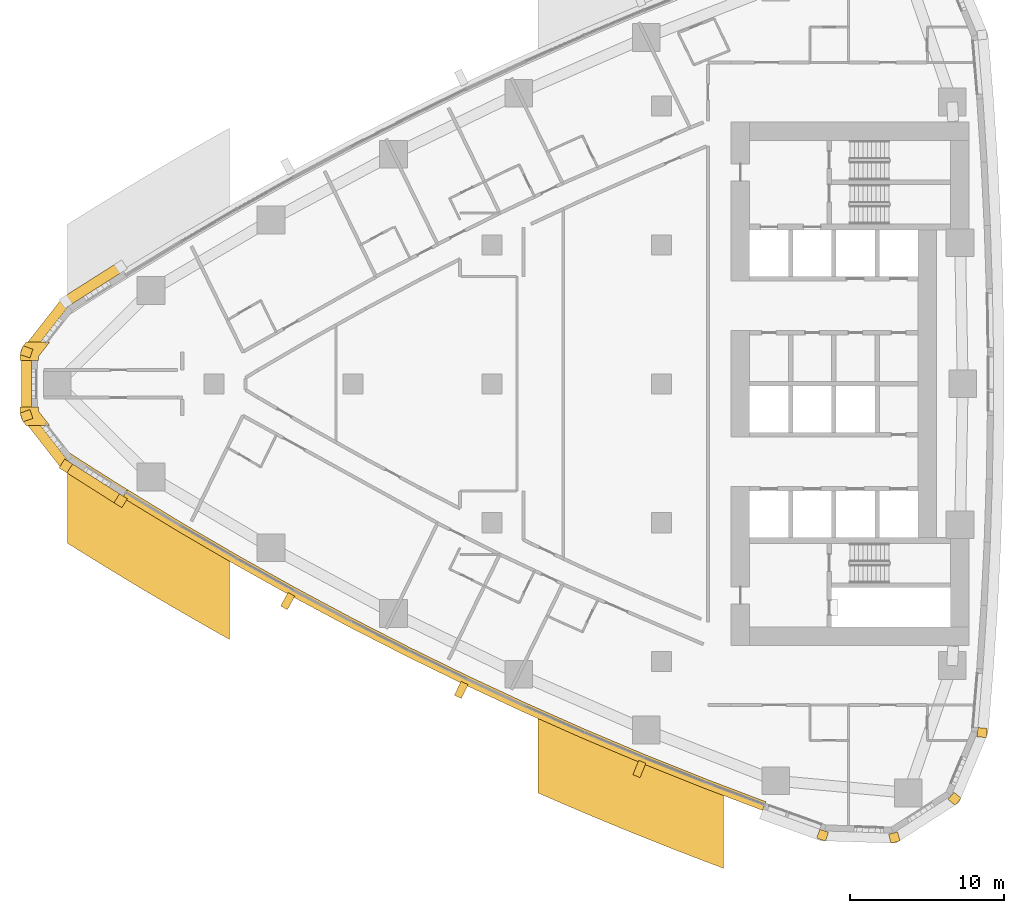
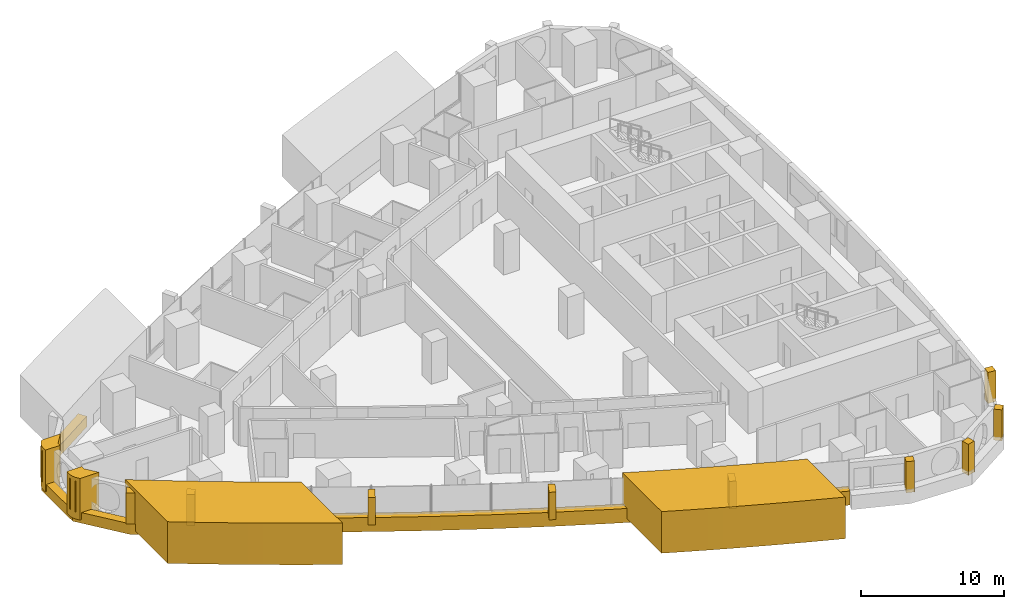
# One storey, part 15 of 19: 17 coverings.
"""IFC4 building model written with IfcOpenShell, lengths in metres."""

import ifcopenshell
import ifcopenshell.guid

model = None  # the IFC model being written
_history = None  # IfcOwnerHistory: only IFC2X3 demands one
_inside = {}  # id of a spatial element -> (the spatial element, [elements in it])
_under = {}  # id of a project, library or spatial element -> (it, [spatial elements below it])
_declared = {}  # id of a project -> (the project, [libraries it declares])
_typed = {}  # id of a type object -> (the type object, [elements of that type])
_made_of = {}  # id of a material, layer set ... -> (it, [elements and type objects made of it])


def new_model(schema):
    """Start an empty IFC model of exactly this schema.

    Asked for "IFC4X3", IfcOpenShell would pick the latest addendum, in which some entities
    have other attributes; the version numbers below select the first issue.
    IFC2X3 requires an IfcOwnerHistory on every rooted entity: one is made here for all.
    """
    global model, _history
    if schema == "IFC4X3":
        model = ifcopenshell.file(schema_version=(4, 3, 0, 0))
    else:
        model = ifcopenshell.file(schema=schema)
    _inside.clear()
    _under.clear()
    _declared.clear()
    _typed.clear()
    _made_of.clear()
    _history = None
    if model.schema == "IFC2X3":
        org = make("IfcOrganization", Name="unknown")
        user = make(
            "IfcPersonAndOrganization",
            ThePerson=make("IfcPerson", FamilyName="unknown"),
            TheOrganization=org,
        )
        app = make(
            "IfcApplication",
            ApplicationDeveloper=org,
            Version="unknown",
            ApplicationFullName="unknown",
            ApplicationIdentifier="unknown",
        )
        _history = make(
            "IfcOwnerHistory",
            OwningUser=user,
            OwningApplication=app,
            ChangeAction="ADDED",
            CreationDate=0,
        )
    return model


def make(cls, **values):
    """One entity of the class cls with the attributes given. An attribute that is None is left unset."""
    return model.create_entity(
        cls, **{name: value for name, value in values.items() if value is not None}
    )


def rooted(cls, **values):
    """An entity with a GlobalId (a new one), such as an element, a storey or a relation."""
    return make(cls, GlobalId=ifcopenshell.guid.new(), OwnerHistory=_history, **values)


def si_unit(unit_type, name, prefix=None):
    """IfcSIUnit, for example si_unit("LENGTHUNIT", "METRE", prefix="MILLI")."""
    return make("IfcSIUnit", UnitType=unit_type, Prefix=prefix, Name=name)


def assignment(units):
    """IfcUnitAssignment: the units of a project."""
    return None if units is None else make("IfcUnitAssignment", Units=units)


def point(xyz):
    """IfcCartesianPoint."""
    return None if xyz is None else make("IfcCartesianPoint", Coordinates=xyz)


def direction(xyz):
    """IfcDirection."""
    return None if xyz is None else make("IfcDirection", DirectionRatios=xyz)


def frame(location, z_axis=None, x_axis=None):
    """IfcAxis2Placement3D, a coordinate frame: its origin and axes. An axis left out is left unset."""
    return make(
        "IfcAxis2Placement3D",
        Location=point(location),
        Axis=direction(z_axis),
        RefDirection=direction(x_axis),
    )


def frame_2d(location, x_axis=None):
    """IfcAxis2Placement2D, a coordinate frame in the plane: its origin and x axis."""
    return make(
        "IfcAxis2Placement2D", Location=point(location), RefDirection=direction(x_axis)
    )


def origin():
    """The frame at (0, 0, 0) with its axes left unset."""
    return frame((0.0, 0.0, 0.0))


def place(relative_to, where):
    """IfcLocalPlacement: puts the frame where relative to a parent placement (None: the world)."""
    return make(
        "IfcLocalPlacement", PlacementRelTo=relative_to, RelativePlacement=where
    )


def context(
    kind, dimensions, precision=None, world=None, true_north=None, identifier=None
):
    """IfcGeometricRepresentationContext, for example the 3D "Model" context."""
    return make(
        "IfcGeometricRepresentationContext",
        ContextIdentifier=identifier,
        ContextType=kind,
        CoordinateSpaceDimension=dimensions,
        Precision=precision,
        WorldCoordinateSystem=world,
        TrueNorth=true_north,
    )


def subcontext(parent, identifier, kind, view, scale=None):
    """IfcGeometricRepresentationSubContext, for example "Body" below "Model"."""
    return make(
        "IfcGeometricRepresentationSubContext",
        ContextIdentifier=identifier,
        ContextType=kind,
        ParentContext=parent,
        TargetScale=scale,
        TargetView=view,
    )


def project(units=None, contexts=None):
    """IfcProject with its units and contexts."""
    return rooted(
        "IfcProject",
        Name="project",
        RepresentationContexts=contexts,
        UnitsInContext=assignment(units),
    )


def spatial(cls, under=None, at=None, **own):
    """A site, building, storey or space (cls), placed at a placement, below another one or the project."""
    s = rooted(cls, ObjectPlacement=at, **own)
    if under is not None:
        _under.setdefault(under.id(), (under, []))[1].append(s)
    return s


def polyline(points):
    """IfcPolyline through the points."""
    return make("IfcPolyline", Points=[point(p) for p in points])


def profile(cls, at=None, kind="AREA", **sizes):
    """A parametric profile (cls). Its sizes go by their IFC names, for example OverallWidth=200.0."""
    return make(cls, ProfileType=kind, Position=at, **sizes)


def rectangle(**sizes):
    """IfcRectangleProfileDef."""
    return profile("IfcRectangleProfileDef", **sizes)


def outline(outer, holes=None, kind="AREA"):
    """IfcArbitraryClosedProfileDef: a profile drawn as a closed curve; with holes, ...WithVoids."""
    if holes is None:
        return make("IfcArbitraryClosedProfileDef", ProfileType=kind, OuterCurve=outer)
    return make(
        "IfcArbitraryProfileDefWithVoids",
        ProfileType=kind,
        OuterCurve=outer,
        InnerCurves=holes,
    )


def extrude(swept, where, along, depth):
    """IfcExtrudedAreaSolid: the profile swept, set in the frame where, extruded along a direction by depth."""
    return make(
        "IfcExtrudedAreaSolid",
        SweptArea=swept,
        Position=where,
        ExtrudedDirection=direction(along),
        Depth=depth,
    )


def shape(context_of_items, identifier, shape_type, items):
    """IfcShapeRepresentation: the items that make up one representation, for example the "Body"."""
    return make(
        "IfcShapeRepresentation",
        ContextOfItems=context_of_items,
        RepresentationIdentifier=identifier,
        RepresentationType=shape_type,
        Items=items,
    )


def material(Name=None, Category=None):
    """IfcMaterial."""
    return make("IfcMaterial", Name=Name, Category=Category)


def layer(
    of_material, thickness, ventilated=None, Name=None, Category=None, Priority=None
):
    """IfcMaterialLayer: one layer of a wall or slab, of a material (None: an air gap)."""
    return make(
        "IfcMaterialLayer",
        Material=of_material,
        LayerThickness=thickness,
        IsVentilated=ventilated,
        Name=Name,
        Category=Category,
        Priority=Priority,
    )


def layer_set(layers, Name=None):
    """IfcMaterialLayerSet."""
    return make("IfcMaterialLayerSet", MaterialLayers=layers, LayerSetName=Name)


def made_of(thing, what):
    """Note that an element or type object is made of a material, layer set ...; save() writes the relation."""
    if what is not None:
        _made_of.setdefault(what.id(), (what, []))[1].append(thing)
    return thing


def type_object(cls, material=None, **own):
    """A type object (cls), such as IfcWallType, which elements share."""
    return made_of(rooted(cls, **own), material)


def element(
    cls,
    number,
    at=None,
    inside=None,
    cuts=None,
    type_object=None,
    material=None,
    context=None,
    identifier="Body",
    shape_type=None,
    held_by="IfcProductDefinitionShape",
    body=None,
    shapes=None,
    **own,
):
    """One element of the class cls, such as IfcWall. Its Tag is "e" and its number.

    at: its placement. inside: the storey or other place that contains it. cuts: it is an
    opening in that element (IfcRelVoidsElement). A single representation is given by context,
    identifier, shape_type and body (its items); several are given by shapes. held_by: the class
    of the entity that holds the representations. save() writes the other relations.
    """
    e = rooted(cls, Tag="e%d" % number, ObjectPlacement=at, **own)
    if body is not None:
        shapes = [shape(context, identifier, shape_type, body)]
    if shapes is not None:
        e.Representation = make(held_by, Representations=shapes)
    if inside is not None:
        _inside.setdefault(inside.id(), (inside, []))[1].append(e)
    if cuts is not None:
        rooted(
            "IfcRelVoidsElement", RelatingBuildingElement=cuts, RelatedOpeningElement=e
        )
    if type_object is not None:
        _typed.setdefault(type_object.id(), (type_object, []))[1].append(e)
    return made_of(e, material)


def aggregate(whole, parts):
    """IfcRelAggregates: a whole, such as a stair, and the parts it consists of."""
    return rooted("IfcRelAggregates", RelatingObject=whole, RelatedObjects=parts)


def save(model, path):
    """Write the relations noted so far, then the file.

    IfcRelAggregates (storeys below a building ...), IfcRelContainedInSpatialStructure (elements
    in a storey), IfcRelDefinesByType, IfcRelAssociatesMaterial and IfcRelDeclares: one each for
    every whole, place, type object, material and project.
    """
    for whole, parts in _under.values():
        aggregate(whole, parts)
    for where, things in _inside.values():
        rooted(
            "IfcRelContainedInSpatialStructure",
            RelatedElements=things,
            RelatingStructure=where,
        )
    for kind, things in _typed.values():
        rooted("IfcRelDefinesByType", RelatedObjects=things, RelatingType=kind)
    for what, things in _made_of.values():
        rooted("IfcRelAssociatesMaterial", RelatedObjects=things, RelatingMaterial=what)
    for by, libraries in _declared.values():
        rooted("IfcRelDeclares", RelatingContext=by, RelatedDefinitions=libraries)
    model.write(path)


model = new_model("IFC4")

# Units and contexts
model_context = context("Model", 3, precision=1e-05, world=origin(), true_north=direction((0.0, 1.0)))
body_context = subcontext(model_context, "Body", "Model", "MODEL_VIEW")
ifc_project = project(units=[si_unit("LENGTHUNIT", "METRE"), si_unit("AREAUNIT", "SQUARE_METRE"), si_unit("VOLUMEUNIT", "CUBIC_METRE"), si_unit("PLANEANGLEUNIT", "RADIAN"), si_unit("MASSUNIT", "GRAM", prefix="KILO")], contexts=[model_context])

# Site, building, storey
site_placement = place(None, origin())
site = spatial("IfcSite", under=ifc_project, at=site_placement, CompositionType="ELEMENT")
building_placement = place(site_placement, origin())
building = spatial("IfcBuilding", under=site, at=building_placement, Name="Ostrand Prow Hotel Tower", CompositionType="ELEMENT")
storey_placement = place(building_placement, frame((0.0, 0.0, 39.60009765625)))
storey = spatial("IfcBuildingStorey", under=building, at=storey_placement, Name="L07", CompositionType="ELEMENT", Elevation=39.60009765625)

# Coverings
ifc_material_1 = material(Name="Bronze anodised aluminium cladding", Category="aluminium")
ifc_layer_1 = layer(ifc_material_1, 0.60009765625)
ifc_layer_set_1 = layer_set([ifc_layer_1], Name="Bronze anodised aluminium cladding")
covering_type_1 = type_object("IfcCoveringType", Name="Bronze prow band 899x600", PredefinedType="CLADDING", material=ifc_layer_set_1)
covering_1_placement = place(storey_placement, frame((0.0, 0.0, -0.300048828125)))
element("IfcCovering", 1, at=covering_1_placement, inside=storey, type_object=covering_type_1, Name="Bronze prow band", PredefinedType="CLADDING", context=body_context, shape_type="SweptSolid", body=[
    extrude(outline(polyline([(9.77734375, 7.864013671875), (6.2197265625, 5.6083984375), (3.53369140625, 2.178466796875), (3.53369140625, -2.178466796875), (6.2197265625, -5.6083984375), (9.77734375, -7.864013671875), (10.13623046875, -7.286376953125), (6.589111328125, -5.03759765625), (4.176513671875, -1.95654296875), (4.176513671875, 1.95654296875), (6.589111328125, 5.03759765625), (10.13623046875, 7.286376953125), (9.77734375, 7.864013671875)])), origin(), (0.0, 0.0, 1.0), 0.89990234375),
])
ifc_material_2 = material(Name="Bronze anodised aluminium cladding", Category="aluminium")
ifc_layer_2 = layer(ifc_material_2, 0.60009765625)
ifc_layer_set_2 = layer_set([ifc_layer_2], Name="Bronze anodised aluminium cladding")
covering_type_2 = type_object("IfcCoveringType", Name="Bronze spandrel band 1200x600", PredefinedType="CLADDING", material=ifc_layer_set_2)
covering_2_placement = place(storey_placement, frame((0.0, 0.0, -0.300048828125)))
element("IfcCovering", 2, at=covering_2_placement, inside=storey, type_object=covering_type_2, Name="Spandrel band S1", PredefinedType="CLADDING", context=body_context, shape_type="SweptSolid", body=[
    extrude(outline(polyline([(10.08349609375, -7.371337890625), (13.672607421875, -9.555419921875), (17.301513671875, -11.673095703125), (20.968994140625, -13.723876953125), (24.673095703125, -15.70654296875), (28.413330078125, -17.62060546875), (32.188232421875, -19.4658203125), (35.996337890625, -21.2412109375), (39.83642578125, -22.946044921875), (43.70751953125, -24.580078125), (47.607666015625, -26.142578125), (51.5361328125, -27.6328125), (51.743896484375, -27.070068359375), (47.82568359375, -25.58349609375), (43.935791015625, -24.025146484375), (40.074951171875, -22.3955078125), (36.244873046875, -20.695068359375), (32.44677734375, -18.92431640625), (28.681884765625, -17.083984375), (24.951416015625, -15.1748046875), (21.2568359375, -13.197509765625), (17.59912109375, -11.152099609375), (13.97998046875, -9.0400390625), (10.39990234375, -6.86181640625), (10.08349609375, -7.371337890625)])), origin(), (0.0, 0.0, 1.0), 1.199951171875),
])
ifc_material_3 = material(Name="Limestone cladding", Category="masonry")
ifc_layer_3 = layer(ifc_material_3, 5.0)
ifc_layer_set_3 = layer_set([ifc_layer_3], Name="Limestone cladding")
covering_type_3 = type_object("IfcCoveringType", Name="Portal jamb pilaster limestone", PredefinedType="CLADDING", material=ifc_layer_set_3)
covering_3_placement = place(storey_placement, origin())
element("IfcCovering", 3, at=covering_3_placement, inside=storey, type_object=covering_type_3, Name="Portal jamb SA L07", PredefinedType="CLADDING", context=body_context, shape_type="SweptSolid", body=[
    extrude(outline(polyline([(6.5, -4.3837890625), (6.5, -10.319580078125), (7.45458984375, -10.917724609375), (8.4091796875, -11.509521484375), (9.363525390625, -12.09521484375), (10.318115234375, -12.67431640625), (11.272705078125, -13.247314453125), (12.227294921875, -13.81396484375), (13.181884765625, -14.37451171875), (14.136474609375, -14.92919921875), (15.0908203125, -15.4775390625), (16.04541015625, -16.020263671875), (17.0, -16.556640625), (17.0, -10.80859375), (16.04541015625, -10.25634765625), (15.0908203125, -9.697998046875), (14.136474609375, -9.13330078125), (13.181884765625, -8.562255859375), (12.227294921875, -7.98486328125), (11.272705078125, -7.401123046875), (10.318115234375, -6.810791015625), (9.363525390625, -6.214111328125), (8.4091796875, -5.610595703125), (7.45458984375, -5.00048828125), (6.5, -4.3837890625)])), origin(), (0.0, 0.0, 1.0), 3.5498046875),
])
covering_4_placement = place(storey_placement, origin())
element("IfcCovering", 4, at=covering_4_placement, inside=storey, type_object=covering_type_3, Name="Portal jamb SB L07", PredefinedType="CLADDING", context=body_context, shape_type="SweptSolid", body=[
    extrude(outline(polyline([(37.0, -21.037109375), (37.0, -26.50927734375), (38.0, -26.945556640625), (39.0, -27.376220703125), (40.0, -27.801513671875), (41.0, -28.22119140625), (42.0, -28.635498046875), (43.0, -29.044189453125), (44.0, -29.447509765625), (45.0, -29.845703125), (46.0, -30.23828125), (47.0, -30.62548828125), (48.0, -31.0078125), (49.0, -31.384521484375), (49.0, -26.03759765625), (48.0, -25.6513671875), (47.0, -25.259765625), (46.0, -24.862548828125), (45.0, -24.459716796875), (44.0, -24.051513671875), (43.0, -23.637939453125), (42.0, -23.218505859375), (41.0, -22.793701171875), (40.0, -22.363037109375), (39.0, -21.9267578125), (38.0, -21.484619140625), (37.0, -21.037109375)])), origin(), (0.0, 0.0, 1.0), 3.5498046875),
])
ifc_material_4 = material(Name="Limestone cladding", Category="masonry")
ifc_layer_4 = layer(ifc_material_4, 0.5)
ifc_layer_set_4 = layer_set([ifc_layer_4], Name="Limestone cladding")
covering_type_4 = type_object("IfcCoveringType", Name="Precast stone fin 500x900", PredefinedType="CLADDING", material=ifc_layer_set_4)
for number, where, z_axis, x_axis, name in (
    (5, (21.016845703125, -13.635986328125, 0.89990234375), (0.0, 0.0, 1.0), (-0.480014960696, -0.877260302025, 0.0), "Stone fin S 4"),
    (6, (32.231201171875, -19.37548828125, 0.89990234375), (0.0, 0.0, 1.0), (-0.430634686673, -0.902526324621, 0.0), "Stone fin S 7"),
    (7, (43.74560546875, -24.487548828125, 0.89990234375), (0.0, 0.0, 1.0), (-0.380590179681, -0.924743810539, 0.0), "Stone fin S 10"),
):
    element("IfcCovering", number, at=place(storey_placement, frame(where, z_axis=z_axis, x_axis=x_axis)), inside=storey, type_object=covering_type_4, Name=name, PredefinedType="CLADDING", context=body_context, shape_type="SweptSolid", body=[
        extrude(rectangle(XDim=1.0, YDim=0.5, at=frame_2d((0.5, 0.0))), origin(), (0.0, 0.0, 1.0), 2.35009765625),
    ])
ifc_material_5 = material(Name="Limestone cladding", Category="masonry")
ifc_layer_5 = layer(ifc_material_5, 0.60009765625)
ifc_layer_set_5 = layer_set([ifc_layer_5], Name="Limestone cladding")
covering_type_5 = type_object("IfcCoveringType", Name="Precast stone prow rib 600x600", PredefinedType="CLADDING", material=ifc_layer_set_5)
for number, where, z_axis, x_axis, name in (
    (8, (4.176513671875, 1.95654296875, 0.599853515625), (0.0, 0.0, 1.0), (-0.945254650653, 0.326333641262, 0.0), "Stone prow rib 3"),
    (9, (4.176513671875, -1.95654296875, 0.599853515625), (0.0, 0.0, 1.0), (-0.945254650653, -0.326333641262, 0.0), "Stone prow rib 4"),
    (10, (6.589111328125, -5.03759765625, 0.599853515625), (0.0, 0.0, 1.0), (-0.543295944087, -0.839541253983, 0.0), "Stone prow rib 5"),
    (11, (10.13623046875, -7.286376953125, 0.599853515625), (0.0, 0.0, 1.0), (-0.527738148304, -0.849407114889, 0.0), "Stone prow rib 6"),
):
    element("IfcCovering", number, at=place(storey_placement, frame(where, z_axis=z_axis, x_axis=x_axis)), inside=storey, type_object=covering_type_5, Name=name, PredefinedType="CLADDING", context=body_context, shape_type="SweptSolid", body=[
        extrude(rectangle(XDim=0.679931640625, YDim=0.60009765625, at=frame_2d((0.33984375, 0.0))), origin(), (0.0, 0.0, 1.0), 2.650146484375),
    ])
for number, where, z_axis, x_axis, name in (
    (12, (55.524169921875, -28.956298828125, 0.599853515625), (0.0, 0.0, 1.0), (-0.328773122904, -0.94440893349, 0.0), "Stone corner rib 2a"),
    (13, (59.98681640625, -29.1025390625, 0.599853515625), (0.0, 0.0, 1.0), (0.266111535611, -0.963942244439, 0.0), "Stone corner rib 3a"),
    (14, (63.74169921875, -26.6865234375, 0.599853515625), (0.0, 0.0, 1.0), (0.766985844654, -0.641664019639, 0.0), "Stone corner rib 4a"),
    (15, (65.4580078125, -22.564453125, 0.599853515625), (0.0, 0.0, 1.0), (0.995724747837, -0.09237005221, 0.0), "Stone corner rib 4b"),
):
    element("IfcCovering", number, at=place(storey_placement, frame(where, z_axis=z_axis, x_axis=x_axis)), inside=storey, type_object=covering_type_5, Name=name, PredefinedType="CLADDING", context=body_context, shape_type="SweptSolid", body=[
        extrude(rectangle(XDim=0.60009765625, YDim=0.60009765625, at=frame_2d((0.300048828125, 0.0))), origin(), (0.0, 0.0, 1.0), 2.650146484375),
    ])
ifc_material_6 = material(Name="Limestone cladding", Category="masonry")
ifc_layer_6 = layer(ifc_material_6, 3.0)
ifc_layer_set_6 = layer_set([ifc_layer_6], Name="Limestone cladding")
covering_type_6 = type_object("IfcCoveringType", Name="Prow nose pier limestone", PredefinedType="CLADDING", material=ifc_layer_set_6)
covering_5_placement = place(storey_placement, origin())
element("IfcCovering", 16, at=covering_5_placement, inside=storey, type_object=covering_type_6, Name="Prow spine fin N L07", PredefinedType="CLADDING", context=body_context, shape_type="SweptSolid", body=[
    extrude(outline(polyline([(3.44921875, 1.793701171875), (3.44921875, 1.5), (4.649169921875, 1.5), (4.649169921875, 1.793701171875), (5.35888671875, 2.699951171875), (3.834716796875, 2.699951171875), (3.704345703125, 2.533447265625), (3.638427734375, 2.440673828125), (3.581787109375, 2.341796875), (3.53466796875, 2.23828125), (3.49755859375, 2.130615234375), (3.470703125, 2.02001953125), (3.45458984375, 1.9072265625), (3.44921875, 1.793701171875)])), origin(), (0.0, 0.0, 1.0), 3.5498046875),
])
covering_6_placement = place(storey_placement, origin())
element("IfcCovering", 17, at=covering_6_placement, inside=storey, type_object=covering_type_6, Name="Prow spine fin S L07", PredefinedType="CLADDING", context=body_context, shape_type="SweptSolid", body=[
    extrude(outline(polyline([(3.704345703125, -2.533447265625), (3.834716796875, -2.699951171875), (5.35888671875, -2.699951171875), (4.649169921875, -1.793701171875), (4.649169921875, -1.5), (3.44921875, -1.5), (3.44921875, -1.793701171875), (3.45458984375, -1.9072265625), (3.470703125, -2.02001953125), (3.49755859375, -2.130615234375), (3.53466796875, -2.23828125), (3.581787109375, -2.341796875), (3.638427734375, -2.440673828125), (3.704345703125, -2.533447265625)])), origin(), (0.0, 0.0, 1.0), 3.5498046875),
])

save(model, "model.ifc")
